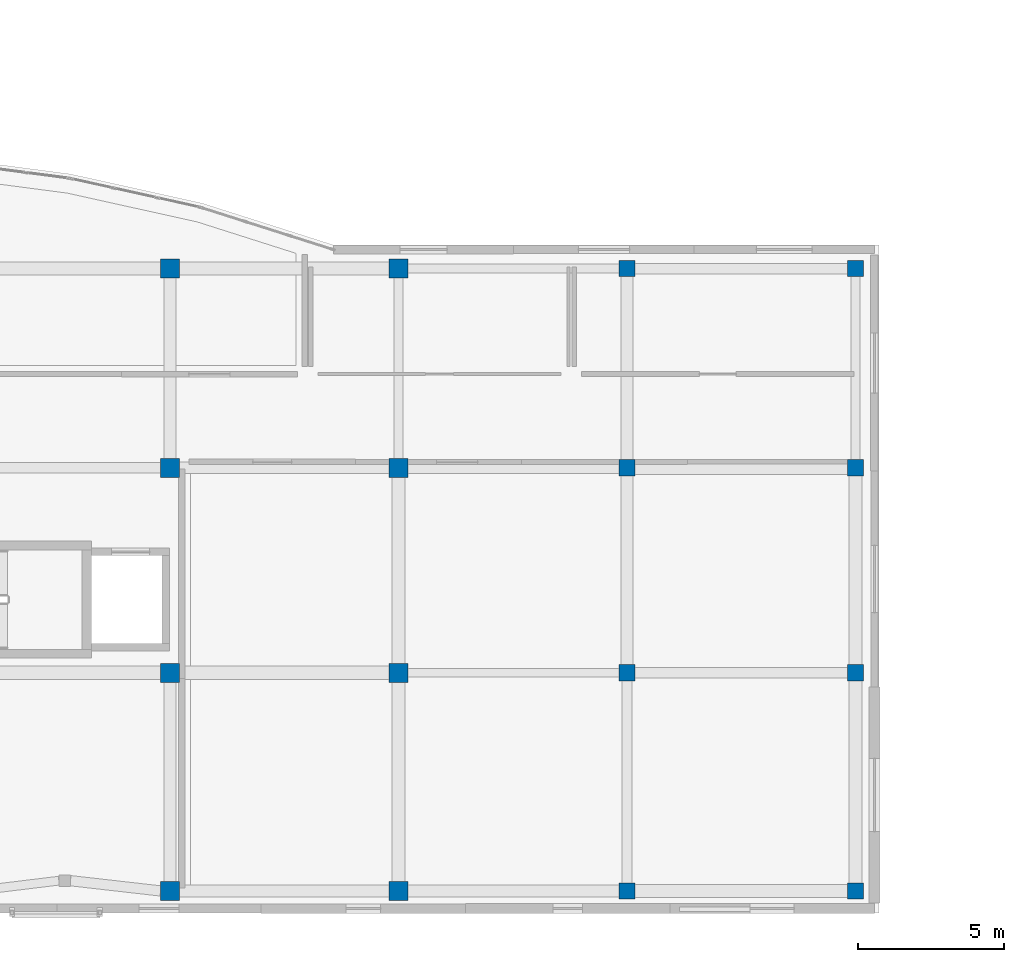
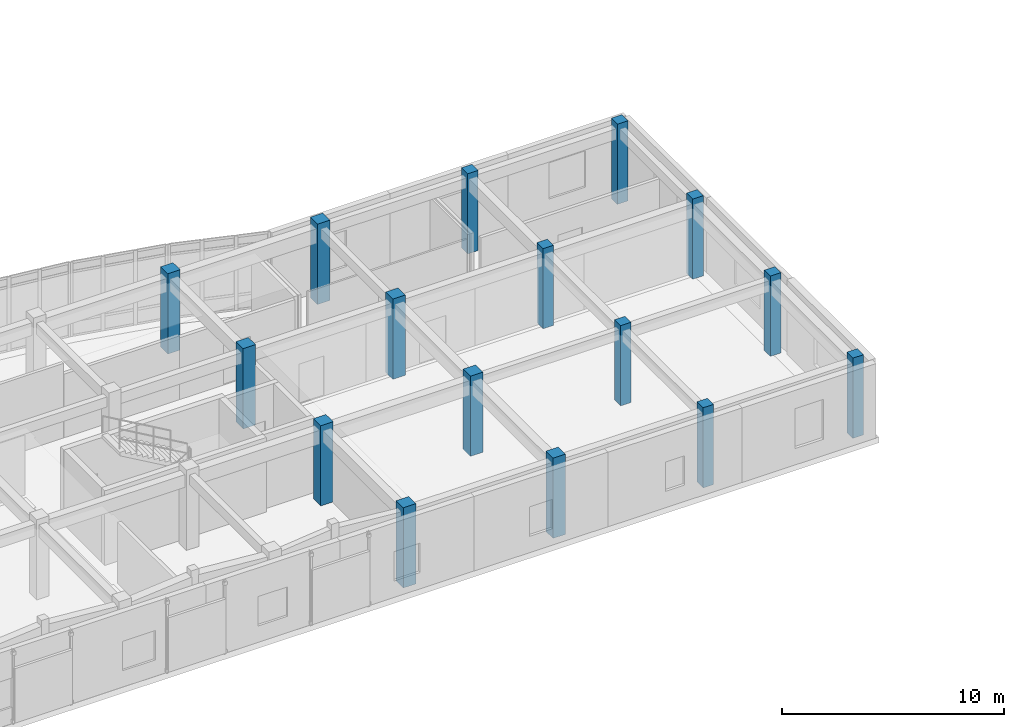
# One storey, part 7 of 142: 16 columns.
"""IFC4 building model written with IfcOpenShell, lengths in metres."""

from ifc_helpers import new_model, si_unit, direction, frame, origin, origin_2d, place, context, subcontext, project, spatial, rectangle, extrude, material, material_profile, profile_set, type_object, element, save


model = new_model("IFC4")

# Units and contexts
model_context = context("Model", 3, precision=1e-05, world=origin(), true_north=direction((0.0, 1.0)))
body_context = subcontext(model_context, "Body", "Model", "MODEL_VIEW")
ifc_project = project(units=[si_unit("LENGTHUNIT", "METRE"), si_unit("AREAUNIT", "SQUARE_METRE"), si_unit("VOLUMEUNIT", "CUBIC_METRE"), si_unit("PLANEANGLEUNIT", "RADIAN"), si_unit("MASSUNIT", "GRAM", prefix="KILO")], contexts=[model_context])

# Site, building, storey
site_placement = place(None, origin())
site = spatial("IfcSite", under=ifc_project, at=site_placement, CompositionType="ELEMENT")
building_placement = place(site_placement, origin())
building = spatial("IfcBuilding", under=site, at=building_placement, Name="Valcora Specialist Clinic", CompositionType="ELEMENT")
storey_placement = place(building_placement, frame((0.0, 0.0, 5.10009765625)))
storey = spatial("IfcBuildingStorey", under=building, at=storey_placement, Name="L01", CompositionType="ELEMENT", Elevation=5.10009765625)

# Columns
ifc_material = material(Name="Concrete C40/50", Category="concrete")
ifc_material_profile_1 = material_profile(ifc_material, rectangle(XDim=0.550048828125, YDim=0.550048828125, at=origin_2d()), Name="RC-COL-550X550")
ifc_profile_set_1 = profile_set([ifc_material_profile_1], Name="Concrete C40/50")
column_type_1 = type_object("IfcColumnType", Name="TY-COL-RC550", PredefinedType="COLUMN", material=ifc_profile_set_1)
for number, where, z_axis, x_axis, name in (
    (1, (115.0, 0.75, 0.0), (0.0, 0.0, 1.0), (1.0, 0.0, 0.0), "Column COL-L01-0921"),
    (2, (115.0, 8.199951171875, 0.0), (0.0, 0.0, 1.0), (1.0, 0.0, 0.0), "Column COL-L01-0925"),
    (3, (115.0, 15.199951171875, 0.0), (0.0, 0.0, 1.0), (1.0, 0.0, 0.0), "Column COL-L01-0929"),
    (4, (115.0, 22.0, 0.0), (0.0, 0.0, 1.0), (1.0, 0.0, 0.0), "Column COL-L01-0933"),
    (5, (122.800048828125, 0.75, 0.0), (0.0, 0.0, 1.0), (1.0, 0.0, 0.0), "Column COL-L01-0937"),
    (6, (122.800048828125, 8.199951171875, 0.0), (0.0, 0.0, 1.0), (1.0, 0.0, 0.0), "Column COL-L01-0940"),
    (7, (122.800048828125, 15.199951171875, 0.0), (0.0, 0.0, 1.0), (1.0, 0.0, 0.0), "Column COL-L01-0943"),
    (8, (122.800048828125, 22.0, 0.0), (0.0, 0.0, 1.0), (1.0, 0.0, 0.0), "Column COL-L01-0946"),
):
    element("IfcColumn", number, at=place(storey_placement, frame(where, z_axis=z_axis, x_axis=x_axis)), inside=storey, type_object=column_type_1, Name=name, PredefinedType="COLUMN", context=body_context, shape_type="SweptSolid", body=[
        extrude(rectangle(XDim=0.550048828125, YDim=0.550048828125, at=origin_2d()), origin(), (0.0, 0.0, 1.0), 4.419921875),
    ])
ifc_material_profile_2 = material_profile(ifc_material, rectangle(XDim=0.64990234375, YDim=0.64990234375, at=origin_2d()), Name="RC-COL-650X650")
ifc_profile_set_2 = profile_set([ifc_material_profile_2], Name="Concrete C40/50")
column_type_2 = type_object("IfcColumnType", Name="TY-COL-RC650", PredefinedType="COLUMN", material=ifc_profile_set_2)
for number, where, z_axis, x_axis, name in (
    (9, (99.39990234375, 0.75, 0.0), (0.0, 0.0, 1.0), (1.0, 0.0, 0.0), "Column COL-L01-0878"),
    (10, (99.39990234375, 8.199951171875, 0.0), (0.0, 0.0, 1.0), (1.0, 0.0, 0.0), "Column COL-L01-0883"),
    (11, (99.39990234375, 15.199951171875, 0.0), (0.0, 0.0, 1.0), (1.0, 0.0, 0.0), "Column COL-L01-0889"),
    (12, (99.39990234375, 22.0, 0.0), (0.0, 0.0, 1.0), (1.0, 0.0, 0.0), "Column COL-L01-0895"),
    (13, (107.199951171875, 0.75, 0.0), (0.0, 0.0, 1.0), (1.0, 0.0, 0.0), "Column COL-L01-0901"),
    (14, (107.199951171875, 8.199951171875, 0.0), (0.0, 0.0, 1.0), (1.0, 0.0, 0.0), "Column COL-L01-0906"),
    (15, (107.199951171875, 15.199951171875, 0.0), (0.0, 0.0, 1.0), (1.0, 0.0, 0.0), "Column COL-L01-0911"),
    (16, (107.199951171875, 22.0, 0.0), (0.0, 0.0, 1.0), (1.0, 0.0, 0.0), "Column COL-L01-0916"),
):
    element("IfcColumn", number, at=place(storey_placement, frame(where, z_axis=z_axis, x_axis=x_axis)), inside=storey, type_object=column_type_2, Name=name, PredefinedType="COLUMN", context=body_context, shape_type="SweptSolid", body=[
        extrude(rectangle(XDim=0.64990234375, YDim=0.64990234375, at=origin_2d()), origin(), (0.0, 0.0, 1.0), 4.419921875),
    ])

save(model, "model.ifc")
